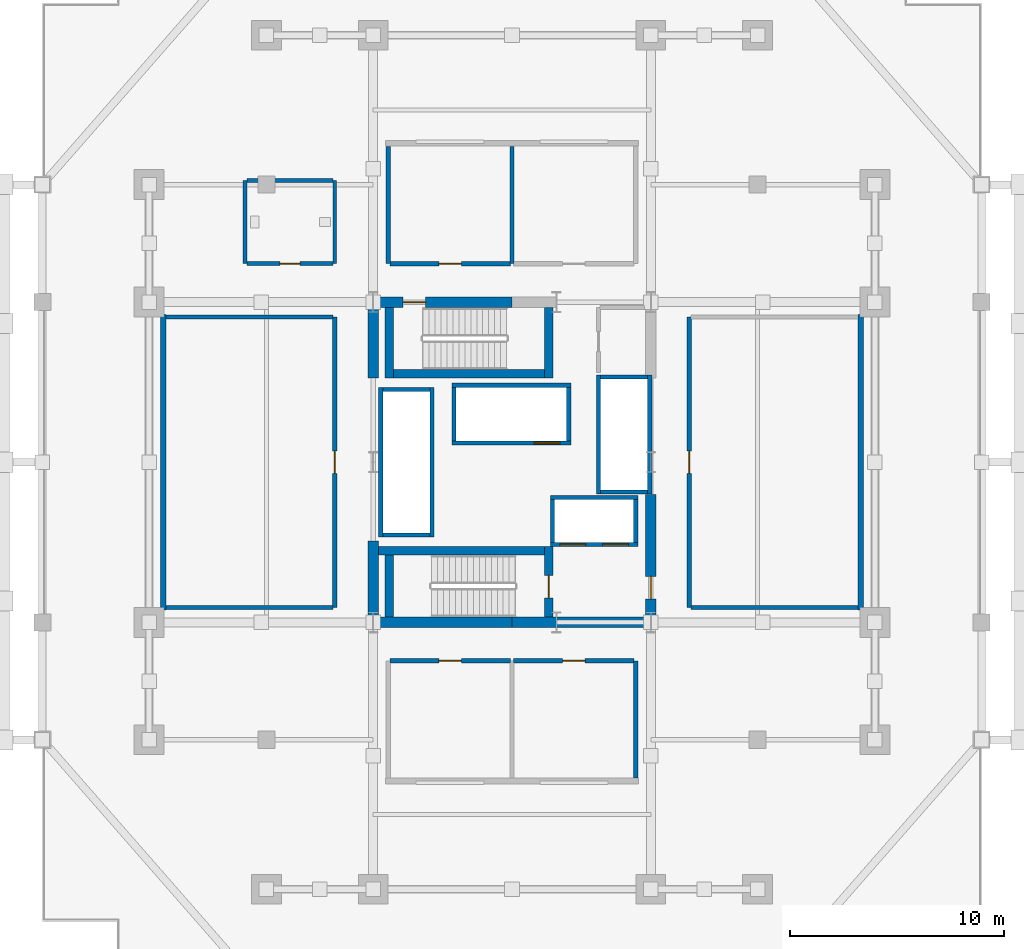
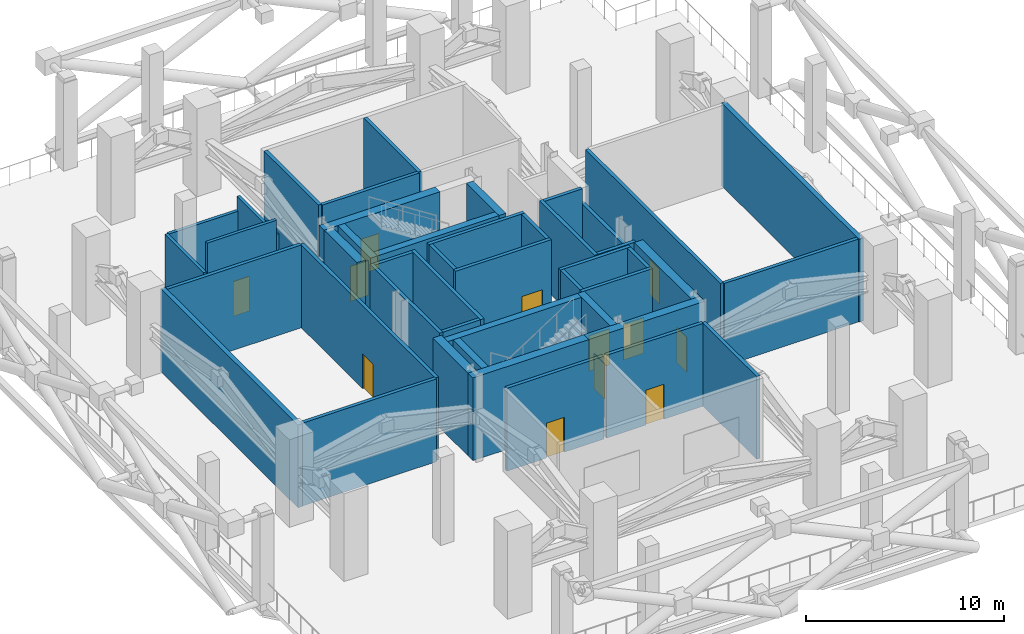
# One storey, part 4 of 9: 45 walls, 12 doors, 12 openings.
"""IFC4 building model written with IfcOpenShell, lengths in metres."""

from ifc_helpers import new_model, si_unit, direction, frame, frame_2d, origin, place, context, subcontext, project, spatial, rectangle, extrude, material, layer, layer_set, type_object, element, fill, save


model = new_model("IFC4")

# Units and contexts
model_context = context("Model", 3, precision=1e-05, world=origin(), true_north=direction((0.0, 1.0)))
body_context = subcontext(model_context, "Body", "Model", "MODEL_VIEW")
ifc_project = project(units=[si_unit("LENGTHUNIT", "METRE"), si_unit("AREAUNIT", "SQUARE_METRE"), si_unit("VOLUMEUNIT", "CUBIC_METRE"), si_unit("PLANEANGLEUNIT", "RADIAN"), si_unit("MASSUNIT", "GRAM", prefix="KILO")], contexts=[model_context])

# Site, building, storey
site_placement = place(None, origin())
site = spatial("IfcSite", under=ifc_project, at=site_placement, CompositionType="ELEMENT")
building_placement = place(site_placement, origin())
building = spatial("IfcBuilding", under=site, at=building_placement, Name="Barlavira Tower and Art Museum", CompositionType="ELEMENT")
storey_placement = place(building_placement, frame((0.0, 0.0, 93.60009765625)))
storey = spatial("IfcBuildingStorey", under=building, at=storey_placement, Name="L23", CompositionType="ELEMENT", Elevation=93.60009765625)

# Walls
ifc_material_1 = material(Name="Concrete C60", Category="concrete")
ifc_layer_1 = layer(ifc_material_1, 0.5, Name="Concrete C60")
ifc_layer_set_1 = layer_set([ifc_layer_1], Name="Concrete C60")
wall_type_1 = type_object("IfcWallType", Name="Core Structural Shear Wall 500 Concrete C60", PredefinedType="SHEAR", material=ifc_layer_set_1)
for number, where, z_axis, x_axis, name in (
    (1, (-6.75, -7.5, 0.0), (0.0, 0.0, 1.0), (1.0, 0.0, 0.0), "L23 Core Shear Wall CS-SW"),
    (2, (0.0, -7.5, 0.0), (0.0, 0.0, 1.0), (1.0, 0.0, 0.0), "L23 Core Shear Wall CS-SE"),
):
    element("IfcWall", number, at=place(storey_placement, frame(where, z_axis=z_axis, x_axis=x_axis)), inside=storey, type_object=wall_type_1, Name=name, PredefinedType="SHEAR", context=body_context, shape_type="SweptSolid", body=[
        extrude(rectangle(XDim=6.75, YDim=0.5, at=frame_2d((3.375, 0.0))), origin(), (0.0, 0.0, 1.0), 5.099853515625),
    ])

# Wall, opening, door
wall_1_placement = place(storey_placement, frame((-6.75, 7.5, 0.0), z_axis=(0.0, 0.0, 1.0), x_axis=(1.0, 0.0, 0.0)))
wall_1 = element("IfcWall", 3, at=wall_1_placement, inside=storey, type_object=wall_type_1, Name="L23 Core Shear Wall CS-NW", PredefinedType="SHEAR", context=body_context, shape_type="SweptSolid", body=[
    extrude(rectangle(XDim=6.75, YDim=0.5, at=frame_2d((3.375, 0.0))), origin(), (0.0, 0.0, 1.0), 5.099853515625),
])
opening_1_placement = place(wall_1_placement, frame((1.64990234375, 0.0, 0.0)))
opening_1 = element("IfcOpeningElement", 4, at=opening_1_placement, cuts=wall_1, Name="Opening FD-90", PredefinedType="OPENING", context=body_context, shape_type="SweptSolid", body=[
    extrude(rectangle(XDim=1.050048828125, YDim=2.14990234375, at=frame_2d((0.52490234375, 1.074951171875))), frame((0.0, 0.260009765625, 0.0), z_axis=(0.0, -1.0, 0.0), x_axis=(1.0, 0.0, 0.0)), (0.0, 0.0, 1.0), 0.52001953125),
])
ifc_material_2 = material(Name="Brushed stainless steel", Category="steel")
door_type_1 = type_object("IfcDoorType", Name="Stair and Refuge Fire Door 1050x2150 FD90S", OperationType="NOTDEFINED", PredefinedType="DOOR", material=ifc_material_2)
door_1_placement = place(opening_1_placement, origin())
door_1 = element("IfcDoor", 5, at=door_1_placement, inside=storey, type_object=door_type_1, Name="L23 Stair ST-T2 Fire Door", OperationType="SINGLE_SWING_LEFT", OverallHeight=2.14990234375, OverallWidth=1.050048828125, PredefinedType="DOOR", context=body_context, shape_type="SweptSolid", body=[
    extrude(rectangle(XDim=1.050048828125, YDim=2.14990234375, at=frame_2d((0.52490234375, 1.074951171875))), frame((0.0, 0.02490234375, 0.0), z_axis=(0.0, -1.0, 0.0), x_axis=(1.0, 0.0, 0.0)), (0.0, 0.0, 1.0), 0.050048828125),
])
fill(opening_1, door_1)

# Walls
wall_2_placement = place(storey_placement, frame((-6.5, -7.25, 0.0), z_axis=(0.0, 0.0, 1.0), x_axis=(0.0, 1.0, 0.0)))
element("IfcWall", 6, at=wall_2_placement, inside=storey, type_object=wall_type_1, Name="L23 Core Shear Wall CS-W1", PredefinedType="SHEAR", context=body_context, shape_type="SweptSolid", body=[
    extrude(rectangle(XDim=3.550048828125, YDim=0.5, at=frame_2d((1.77490234375, 0.0))), origin(), (0.0, 0.0, 1.0), 5.099853515625),
])
wall_3_placement = place(storey_placement, frame((-6.5, 3.949951171875, 0.0), z_axis=(0.0, 0.0, 1.0), x_axis=(0.0, 1.0, 0.0)))
element("IfcWall", 7, at=wall_3_placement, inside=storey, type_object=wall_type_1, Name="L23 Core Shear Wall CS-W2", PredefinedType="SHEAR", context=body_context, shape_type="SweptSolid", body=[
    extrude(rectangle(XDim=3.300048828125, YDim=0.5, at=frame_2d((1.64990234375, 0.0))), origin(), (0.0, 0.0, 1.0), 5.099853515625),
])

# Wall, opening, door
wall_4_placement = place(storey_placement, frame((6.5, -7.25, 0.0), z_axis=(0.0, 0.0, 1.0), x_axis=(0.0, 1.0, 0.0)))
wall_4 = element("IfcWall", 8, at=wall_4_placement, inside=storey, type_object=wall_type_1, Name="L23 Core Shear Wall CS-E1", PredefinedType="SHEAR", context=body_context, shape_type="SweptSolid", body=[
    extrude(rectangle(XDim=5.75, YDim=0.5, at=frame_2d((2.875, 0.0))), origin(), (0.0, 0.0, 1.0), 5.099853515625),
])
opening_2_placement = place(wall_4_placement, frame((0.85009765625, 0.0, 0.0)))
opening_2 = element("IfcOpeningElement", 9, at=opening_2_placement, cuts=wall_4, Name="Opening FD-90", PredefinedType="OPENING", context=body_context, shape_type="SweptSolid", body=[
    extrude(rectangle(XDim=1.050048828125, YDim=2.14990234375, at=frame_2d((0.52490234375, 1.074951171875))), frame((0.0, 0.260009765625, 0.0), z_axis=(0.0, -1.0, 0.0), x_axis=(1.0, 0.0, 0.0)), (0.0, 0.0, 1.0), 0.52001953125),
])
door_2_placement = place(opening_2_placement, origin())
door_2 = element("IfcDoor", 10, at=door_2_placement, inside=storey, type_object=door_type_1, Name="L23 Firefighting Lobby Entry Fire Door", OperationType="SINGLE_SWING_LEFT", OverallHeight=2.14990234375, OverallWidth=1.050048828125, PredefinedType="DOOR", context=body_context, shape_type="SweptSolid", body=[
    extrude(rectangle(XDim=1.050048828125, YDim=2.14990234375, at=frame_2d((0.52490234375, 1.074951171875))), frame((0.0, 0.02490234375, 0.0), z_axis=(0.0, -1.0, 0.0), x_axis=(1.0, 0.0, 0.0)), (0.0, 0.0, 1.0), 0.050048828125),
])
fill(opening_2, door_2)

# Walls
ifc_material_3 = material(Name="Precast concrete C40", Category="concrete")
ifc_layer_2 = layer(ifc_material_3, 0.260009765625, Name="Precast concrete C40")
ifc_layer_set_2 = layer_set([ifc_layer_2], Name="Precast concrete C40")
wall_type_2 = type_object("IfcWallType", Name="Crown Acoustic Plant Enclosure Wall 260 Precast Concrete C40", PredefinedType="SOLIDWALL", material=ifc_layer_set_2)
for number, where, z_axis, x_axis, name in (
    (11, (-16.330078125, -6.929931640625, 0.0), (0.0, 0.0, 1.0), (0.0, 1.0, 0.0), "L23 Wind-Floor Plant/Refuge Wall W"),
    (12, (16.330078125, -6.929931640625, 0.0), (0.0, 0.0, 1.0), (0.0, 1.0, 0.0), "L23 Wind-Floor Plant/Refuge Wall E"),
):
    element("IfcWall", number, at=place(storey_placement, frame(where, z_axis=z_axis, x_axis=x_axis)), inside=storey, type_object=wall_type_2, Name=name, PredefinedType="SOLIDWALL", context=body_context, shape_type="SweptSolid", body=[
        extrude(rectangle(XDim=13.85986328125, YDim=0.260009765625, at=frame_2d((6.929931640625, 0.0))), origin(), (0.0, 0.0, 1.0), 5.099853515625),
    ])
ifc_material_4 = material(Name="Autoclaved aerated concrete masonry", Category="masonry")
ifc_layer_3 = layer(ifc_material_4, 0.199951171875, Name="Autoclaved aerated concrete masonry")
ifc_layer_set_3 = layer_set([ifc_layer_3], Name="Autoclaved aerated concrete masonry")
wall_type_3 = type_object("IfcWallType", Name="Fire Compartment and Shaft Wall 200", PredefinedType="SOLIDWALL", material=ifc_layer_set_3)
for number, where, z_axis, x_axis, name in (
    (13, (-3.75, -3.510009765625, 0.0), (0.0, 0.0, 1.0), (0.0, 1.0, 0.0), "L23 Low-Rise Lift Front Shaft Wall"),
    (14, (-6.14990234375, -3.510009765625, 0.0), (0.0, 0.0, 1.0), (0.0, 1.0, 0.0), "L23 Low-Rise Lift Back Shaft Wall"),
):
    element("IfcWall", number, at=place(storey_placement, frame(where, z_axis=z_axis, x_axis=x_axis)), inside=storey, type_object=wall_type_3, Name=name, PredefinedType="SOLIDWALL", context=body_context, shape_type="SweptSolid", body=[
        extrude(rectangle(XDim=7.02001953125, YDim=0.199951171875, at=frame_2d((3.510009765625, 0.0))), origin(), (0.0, 0.0, 1.0), 5.099853515625),
    ])
for number, where, z_axis, x_axis, name in (
    (15, (-6.050048828125, -3.409912109375, 0.0), (0.0, 0.0, 1.0), (1.0, 0.0, 0.0), "L23 Low-Rise Lift South Shaft Wall"),
    (16, (-6.050048828125, 3.409912109375, 0.0), (0.0, 0.0, 1.0), (1.0, 0.0, 0.0), "L23 Low-Rise Lift North Shaft Wall"),
):
    element("IfcWall", number, at=place(storey_placement, frame(where, z_axis=z_axis, x_axis=x_axis)), inside=storey, type_object=wall_type_3, Name=name, PredefinedType="SOLIDWALL", context=body_context, shape_type="SweptSolid", body=[
        extrude(rectangle(XDim=2.199951171875, YDim=0.199951171875, at=frame_2d((1.10009765625, 0.0))), origin(), (0.0, 0.0, 1.0), 5.099853515625),
    ])
wall_5_placement = place(storey_placement, frame((4.050048828125, -1.489990234375, 0.0), z_axis=(0.0, 0.0, 1.0), x_axis=(0.0, 1.0, 0.0)))
element("IfcWall", 17, at=wall_5_placement, inside=storey, type_object=wall_type_3, Name="L23 Mid-Rise Lift Front Shaft Wall", PredefinedType="SOLIDWALL", context=body_context, shape_type="SweptSolid", body=[
    extrude(rectangle(XDim=5.580078125, YDim=0.199951171875, at=frame_2d((2.7900390625, 0.0))), origin(), (0.0, 0.0, 1.0), 5.099853515625),
])
wall_6_placement = place(storey_placement, frame((6.449951171875, -1.489990234375, 0.0), z_axis=(0.0, 0.0, 1.0), x_axis=(0.0, 1.0, 0.0)))
element("IfcWall", 18, at=wall_6_placement, inside=storey, type_object=wall_type_3, Name="L23 Mid-Rise Lift Back Shaft Wall", PredefinedType="SOLIDWALL", context=body_context, shape_type="SweptSolid", body=[
    extrude(rectangle(XDim=5.580078125, YDim=0.199951171875, at=frame_2d((2.7900390625, 0.0))), origin(), (0.0, 0.0, 1.0), 4.15283203125),
])
for number, where, z_axis, x_axis, name in (
    (19, (4.14990234375, -1.389892578125, 0.0), (0.0, 0.0, 1.0), (1.0, 0.0, 0.0), "L23 Mid-Rise Lift South Shaft Wall"),
    (20, (4.14990234375, 3.989990234375, 0.0), (0.0, 0.0, 1.0), (1.0, 0.0, 0.0), "L23 Mid-Rise Lift North Shaft Wall"),
):
    element("IfcWall", number, at=place(storey_placement, frame(where, z_axis=z_axis, x_axis=x_axis)), inside=storey, type_object=wall_type_3, Name=name, PredefinedType="SOLIDWALL", context=body_context, shape_type="SweptSolid", body=[
        extrude(rectangle(XDim=2.2001953125, YDim=0.199951171875, at=frame_2d((1.10009765625, 0.0))), origin(), (0.0, 0.0, 1.0), 5.099853515625),
    ])

# Wall, opening, door
wall_7_placement = place(storey_placement, frame((-2.820068359375, 0.89990234375, 0.0), z_axis=(0.0, 0.0, 1.0), x_axis=(1.0, 0.0, 0.0)))
wall_7 = element("IfcWall", 21, at=wall_7_placement, inside=storey, type_object=wall_type_3, Name="L23 High-Rise & Service Lift Front Wall", PredefinedType="SOLIDWALL", context=body_context, shape_type="SweptSolid", body=[
    extrude(rectangle(XDim=5.580078125, YDim=0.199951171875, at=frame_2d((2.7900390625, 0.0))), origin(), (0.0, 0.0, 1.0), 5.099853515625),
])
opening_3_placement = place(wall_7_placement, frame((3.860107421875, 0.0, 0.0)))
opening_3 = element("IfcOpeningElement", 22, at=opening_3_placement, cuts=wall_7, Name="Opening LD-F", PredefinedType="OPENING", context=body_context, shape_type="SweptSolid", body=[
    extrude(rectangle(XDim=1.199951171875, YDim=2.199951171875, at=frame_2d((0.60009765625, 1.10009765625))), frame((0.0, 0.10986328125, 0.0), z_axis=(0.0, -1.0, 0.0), x_axis=(1.0, 0.0, 0.0)), (0.0, 0.0, 1.0), 0.219970703125),
])
door_type_2 = type_object("IfcDoorType", Name="Firefighting and Service Lift Sliding Door 1200x2200 FD120", OperationType="NOTDEFINED", PredefinedType="DOOR", material=ifc_material_2)
door_3_placement = place(opening_3_placement, origin())
door_3 = element("IfcDoor", 23, at=door_3_placement, inside=storey, type_object=door_type_2, Name="L23 Stretcher Service Lift SL1 Sliding Door", OperationType="DOUBLE_DOOR_SLIDING", OverallHeight=2.199951171875, OverallWidth=1.199951171875, PredefinedType="DOOR", context=body_context, shape_type="SweptSolid", body=[
    extrude(rectangle(XDim=1.199951171875, YDim=2.199951171875, at=frame_2d((0.60009765625, 1.10009765625))), frame((0.0, 0.02490234375, 0.0), z_axis=(0.0, -1.0, 0.0), x_axis=(1.0, 0.0, 0.0)), (0.0, 0.0, 1.0), 0.050048828125),
])
fill(opening_3, door_3)

# Walls
wall_8_placement = place(storey_placement, frame((-2.820068359375, 3.60009765625, 0.0), z_axis=(0.0, 0.0, 1.0), x_axis=(1.0, 0.0, 0.0)))
element("IfcWall", 24, at=wall_8_placement, inside=storey, type_object=wall_type_3, Name="L23 High-Rise & Service Lift Back Wall", PredefinedType="SOLIDWALL", context=body_context, shape_type="SweptSolid", body=[
    extrude(rectangle(XDim=5.580078125, YDim=0.199951171875, at=frame_2d((2.7900390625, 0.0))), origin(), (0.0, 0.0, 1.0), 5.099853515625),
])
for number, where, z_axis, x_axis, name in (
    (25, (-2.719970703125, 1.0, 0.0), (0.0, 0.0, 1.0), (0.0, 1.0, 0.0), "L23 High-Rise & Service Lift West Wall"),
    (26, (2.659912109375, 1.0, 0.0), (0.0, 0.0, 1.0), (0.0, 1.0, 0.0), "L23 High-Rise & Service Lift East Wall"),
):
    element("IfcWall", number, at=place(storey_placement, frame(where, z_axis=z_axis, x_axis=x_axis)), inside=storey, type_object=wall_type_3, Name=name, PredefinedType="SOLIDWALL", context=body_context, shape_type="SweptSolid", body=[
        extrude(rectangle(XDim=2.5, YDim=0.199951171875, at=frame_2d((1.25, 0.0))), origin(), (0.0, 0.0, 1.0), 5.099853515625),
    ])

# Wall, openings, doors
wall_9_placement = place(storey_placement, frame((1.800048828125, -3.85009765625, 0.0), z_axis=(0.0, 0.0, 1.0), x_axis=(1.0, 0.0, 0.0)))
wall_9 = element("IfcWall", 27, at=wall_9_placement, inside=storey, type_object=wall_type_3, Name="L23 Firefighting Lift Front Shaft Wall", PredefinedType="SOLIDWALL", context=body_context, shape_type="SweptSolid", body=[
    extrude(rectangle(XDim=4.099853515625, YDim=0.199951171875, at=frame_2d((2.0498046875, 0.0))), origin(), (0.0, 0.0, 1.0), 5.099853515625),
])
opening_4_placement = place(wall_9_placement, frame((0.449951171875, 0.0, 0.0)))
opening_4 = element("IfcOpeningElement", 28, at=opening_4_placement, cuts=wall_9, Name="Opening LD-F", PredefinedType="OPENING", context=body_context, shape_type="SweptSolid", body=[
    extrude(rectangle(XDim=1.199951171875, YDim=2.199951171875, at=frame_2d((0.60009765625, 1.10009765625))), frame((0.0, 0.10986328125, 0.0), z_axis=(0.0, -1.0, 0.0), x_axis=(1.0, 0.0, 0.0)), (0.0, 0.0, 1.0), 0.219970703125),
])
opening_5_placement = place(wall_9_placement, frame((2.449951171875, 0.0, 0.0)))
opening_5 = element("IfcOpeningElement", 29, at=opening_5_placement, cuts=wall_9, Name="Opening LD-F", PredefinedType="OPENING", context=body_context, shape_type="SweptSolid", body=[
    extrude(rectangle(XDim=1.199951171875, YDim=2.199951171875, at=frame_2d((0.60009765625, 1.10009765625))), frame((0.0, 0.10986328125, 0.0), z_axis=(0.0, -1.0, 0.0), x_axis=(1.0, 0.0, 0.0)), (0.0, 0.0, 1.0), 0.219970703125),
])
door_4_placement = place(opening_4_placement, origin())
door_4 = element("IfcDoor", 30, at=door_4_placement, inside=storey, type_object=door_type_2, Name="L23 Firefighting Lift FF1 Sliding Door", OperationType="DOUBLE_DOOR_SLIDING", OverallHeight=2.199951171875, OverallWidth=1.199951171875, PredefinedType="DOOR", context=body_context, shape_type="SweptSolid", body=[
    extrude(rectangle(XDim=1.199951171875, YDim=2.199951171875, at=frame_2d((0.60009765625, 1.10009765625))), frame((0.0, 0.02490234375, 0.0), z_axis=(0.0, -1.0, 0.0), x_axis=(1.0, 0.0, 0.0)), (0.0, 0.0, 1.0), 0.050048828125),
])
fill(opening_4, door_4)
door_5_placement = place(opening_5_placement, origin())
door_5 = element("IfcDoor", 31, at=door_5_placement, inside=storey, type_object=door_type_2, Name="L23 Firefighting Lift FF2 Sliding Door", OperationType="DOUBLE_DOOR_SLIDING", OverallHeight=2.199951171875, OverallWidth=1.199951171875, PredefinedType="DOOR", context=body_context, shape_type="SweptSolid", body=[
    extrude(rectangle(XDim=1.199951171875, YDim=2.199951171875, at=frame_2d((0.60009765625, 1.10009765625))), frame((0.0, 0.02490234375, 0.0), z_axis=(0.0, -1.0, 0.0), x_axis=(1.0, 0.0, 0.0)), (0.0, 0.0, 1.0), 0.050048828125),
])
fill(opening_5, door_5)

# Walls
wall_10_placement = place(storey_placement, frame((1.800048828125, -1.64990234375, 0.0), z_axis=(0.0, 0.0, 1.0), x_axis=(1.0, 0.0, 0.0)))
element("IfcWall", 32, at=wall_10_placement, inside=storey, type_object=wall_type_3, Name="L23 Firefighting Lift Back Shaft Wall", PredefinedType="SOLIDWALL", context=body_context, shape_type="SweptSolid", body=[
    extrude(rectangle(XDim=4.099853515625, YDim=0.199951171875, at=frame_2d((2.0498046875, 0.0))), origin(), (0.0, 0.0, 1.0), 5.099853515625),
])
for number, where, z_axis, x_axis, name in (
    (33, (1.89990234375, -3.75, 0.0), (0.0, 0.0, 1.0), (0.0, 1.0, 0.0), "L23 Firefighting Lift West Shaft Wall"),
    (34, (5.800048828125, -3.75, 0.0), (0.0, 0.0, 1.0), (0.0, 1.0, 0.0), "L23 Firefighting Lift East Shaft Wall"),
):
    element("IfcWall", number, at=place(storey_placement, frame(where, z_axis=z_axis, x_axis=x_axis)), inside=storey, type_object=wall_type_3, Name=name, PredefinedType="SOLIDWALL", context=body_context, shape_type="SweptSolid", body=[
        extrude(rectangle(XDim=2.0, YDim=0.199951171875, at=frame_2d((1.0, 0.0))), origin(), (0.0, 0.0, 1.0), 5.099853515625),
    ])

# Wall, opening, door
wall_11_placement = place(storey_placement, frame((-8.300048828125, -6.800048828125, 0.0), z_axis=(0.0, 0.0, 1.0), x_axis=(0.0, 1.0, 0.0)))
wall_11 = element("IfcWall", 35, at=wall_11_placement, inside=storey, type_object=wall_type_3, Name="L23 Partition Wall 2", PredefinedType="SOLIDWALL", context=body_context, shape_type="SweptSolid", body=[
    extrude(rectangle(XDim=13.60009765625, YDim=0.199951171875, at=frame_2d((6.800048828125, 0.0))), origin(), (0.0, 0.0, 1.0), 5.099853515625),
])
opening_6_placement = place(wall_11_placement, frame((6.27490234375, 0.0, 0.0)))
opening_6 = element("IfcOpeningElement", 36, at=opening_6_placement, cuts=wall_11, Name="Opening FD-90", PredefinedType="OPENING", context=body_context, shape_type="SweptSolid", body=[
    extrude(rectangle(XDim=1.050048828125, YDim=2.14990234375, at=frame_2d((0.52490234375, 1.074951171875))), frame((0.0, 0.10986328125, 0.0), z_axis=(0.0, -1.0, 0.0), x_axis=(1.0, 0.0, 0.0)), (0.0, 0.0, 1.0), 0.219970703125),
])
door_6_placement = place(opening_6_placement, origin())
door_6 = element("IfcDoor", 37, at=door_6_placement, inside=storey, type_object=door_type_1, Name="L23 West Pressurised Sky Refuge Area Door", OperationType="SINGLE_SWING_LEFT", OverallHeight=2.14990234375, OverallWidth=1.050048828125, PredefinedType="DOOR", context=body_context, shape_type="SweptSolid", body=[
    extrude(rectangle(XDim=1.050048828125, YDim=2.14990234375, at=frame_2d((0.52490234375, 1.074951171875))), frame((0.0, 0.02490234375, 0.0), z_axis=(0.0, -1.0, 0.0), x_axis=(1.0, 0.0, 0.0)), (0.0, 0.0, 1.0), 0.050048828125),
])
fill(opening_6, door_6)

# Walls
for number, where, z_axis, x_axis, name in (
    (38, (-5.800048828125, 9.300048828125, 0.0), (0.0, 0.0, 1.0), (0.0, 1.0, 0.0), "L23 Partition Wall 5"),
    (39, (0.0, 9.300048828125, 0.0), (0.0, 0.0, 1.0), (0.0, 1.0, 0.0), "L23 Partition Wall 7"),
    (40, (5.800048828125, -14.794921875, 0.0), (0.0, 0.0, 1.0), (0.0, 1.0, 0.0), "L23 Partition Wall 9"),
):
    element("IfcWall", number, at=place(storey_placement, frame(where, z_axis=z_axis, x_axis=x_axis)), inside=storey, type_object=wall_type_3, Name=name, PredefinedType="SOLIDWALL", context=body_context, shape_type="SweptSolid", body=[
        extrude(rectangle(XDim=5.494873046875, YDim=0.199951171875, at=frame_2d((2.74755859375, 0.0))), origin(), (0.0, 0.0, 1.0), 5.099853515625),
    ])

# Wall, opening, door
wall_12_placement = place(storey_placement, frame((8.300048828125, -6.800048828125, 0.0), z_axis=(0.0, 0.0, 1.0), x_axis=(0.0, 1.0, 0.0)))
wall_12 = element("IfcWall", 41, at=wall_12_placement, inside=storey, type_object=wall_type_3, Name="L23 Partition Wall 11", PredefinedType="SOLIDWALL", context=body_context, shape_type="SweptSolid", body=[
    extrude(rectangle(XDim=13.60009765625, YDim=0.199951171875, at=frame_2d((6.800048828125, 0.0))), origin(), (0.0, 0.0, 1.0), 5.099853515625),
])
opening_7_placement = place(wall_12_placement, frame((6.27490234375, 0.0, 0.0)))
opening_7 = element("IfcOpeningElement", 42, at=opening_7_placement, cuts=wall_12, Name="Opening FD-90", PredefinedType="OPENING", context=body_context, shape_type="SweptSolid", body=[
    extrude(rectangle(XDim=1.050048828125, YDim=2.14990234375, at=frame_2d((0.52490234375, 1.074951171875))), frame((0.0, 0.10986328125, 0.0), z_axis=(0.0, -1.0, 0.0), x_axis=(1.0, 0.0, 0.0)), (0.0, 0.0, 1.0), 0.219970703125),
])
door_7_placement = place(opening_7_placement, origin())
door_7 = element("IfcDoor", 43, at=door_7_placement, inside=storey, type_object=door_type_1, Name="L23 East Pressurised Sky Refuge Area Door", OperationType="SINGLE_SWING_RIGHT", OverallHeight=2.14990234375, OverallWidth=1.050048828125, PredefinedType="DOOR", context=body_context, shape_type="SweptSolid", body=[
    extrude(rectangle(XDim=1.050048828125, YDim=2.14990234375, at=frame_2d((0.52490234375, 1.074951171875))), frame((0.0, 0.02490234375, 0.0), z_axis=(0.0, -1.0, 0.0), x_axis=(1.0, 0.0, 0.0)), (0.0, 0.0, 1.0), 0.050048828125),
])
fill(opening_7, door_7)

wall_13_placement = place(storey_placement, frame((-5.719970703125, -9.300048828125, 0.0), z_axis=(0.0, 0.0, 1.0), x_axis=(1.0, 0.0, 0.0)))
wall_13 = element("IfcWall", 44, at=wall_13_placement, inside=storey, type_object=wall_type_3, Name="L23 Partition Wall 12", PredefinedType="SOLIDWALL", context=body_context, shape_type="SweptSolid", body=[
    extrude(rectangle(XDim=5.639892578125, YDim=0.199951171875, at=frame_2d((2.81982421875, 0.0))), origin(), (0.0, 0.0, 1.0), 5.099853515625),
])
opening_8_placement = place(wall_13_placement, frame((2.294921875, 0.0, 0.0)))
opening_8 = element("IfcOpeningElement", 45, at=opening_8_placement, cuts=wall_13, Name="Opening FD-90", PredefinedType="OPENING", context=body_context, shape_type="SweptSolid", body=[
    extrude(rectangle(XDim=1.050048828125, YDim=2.14990234375, at=frame_2d((0.52490234375, 1.074951171875))), frame((0.0, 0.10986328125, 0.0), z_axis=(0.0, -1.0, 0.0), x_axis=(1.0, 0.0, 0.0)), (0.0, 0.0, 1.0), 0.219970703125),
])
door_8_placement = place(opening_8_placement, origin())
door_8 = element("IfcDoor", 46, at=door_8_placement, inside=storey, type_object=door_type_1, Name="L23 Chiller and Heat-Rejection Plant Room Door", OperationType="SINGLE_SWING_LEFT", OverallHeight=2.14990234375, OverallWidth=1.050048828125, PredefinedType="DOOR", context=body_context, shape_type="SweptSolid", body=[
    extrude(rectangle(XDim=1.050048828125, YDim=2.14990234375, at=frame_2d((0.52490234375, 1.074951171875))), frame((0.0, 0.02490234375, 0.0), z_axis=(0.0, -1.0, 0.0), x_axis=(1.0, 0.0, 0.0)), (0.0, 0.0, 1.0), 0.050048828125),
])
fill(opening_8, door_8)

wall_14_placement = place(storey_placement, frame((0.080078125, -9.300048828125, 0.0), z_axis=(0.0, 0.0, 1.0), x_axis=(1.0, 0.0, 0.0)))
wall_14 = element("IfcWall", 47, at=wall_14_placement, inside=storey, type_object=wall_type_3, Name="L23 Partition Wall 13", PredefinedType="SOLIDWALL", context=body_context, shape_type="SweptSolid", body=[
    extrude(rectangle(XDim=5.639892578125, YDim=0.199951171875, at=frame_2d((2.81982421875, 0.0))), origin(), (0.0, 0.0, 1.0), 5.099853515625),
])
opening_9_placement = place(wall_14_placement, frame((2.294921875, 0.0, 0.0)))
opening_9 = element("IfcOpeningElement", 48, at=opening_9_placement, cuts=wall_14, Name="Opening FD-90", PredefinedType="OPENING", context=body_context, shape_type="SweptSolid", body=[
    extrude(rectangle(XDim=1.050048828125, YDim=2.14990234375, at=frame_2d((0.52490234375, 1.074951171875))), frame((0.0, 0.10986328125, 0.0), z_axis=(0.0, -1.0, 0.0), x_axis=(1.0, 0.0, 0.0)), (0.0, 0.0, 1.0), 0.219970703125),
])
door_9_placement = place(opening_9_placement, origin())
door_9 = element("IfcDoor", 49, at=door_9_placement, inside=storey, type_object=door_type_1, Name="L23 Air Handling and Smoke Ventilation Plant Room Door", OperationType="SINGLE_SWING_RIGHT", OverallHeight=2.14990234375, OverallWidth=1.050048828125, PredefinedType="DOOR", context=body_context, shape_type="SweptSolid", body=[
    extrude(rectangle(XDim=1.050048828125, YDim=2.14990234375, at=frame_2d((0.52490234375, 1.074951171875))), frame((0.0, 0.02490234375, 0.0), z_axis=(0.0, -1.0, 0.0), x_axis=(1.0, 0.0, 0.0)), (0.0, 0.0, 1.0), 0.050048828125),
])
fill(opening_9, door_9)

# Walls
for number, where, z_axis, x_axis, name in (
    (50, (-16.195068359375, -6.800048828125, 0.0), (0.0, 0.0, 1.0), (1.0, 0.0, 0.0), "L23 Partition Wall 14"),
    (51, (8.3798828125, -6.800048828125, 0.0), (0.0, 0.0, 1.0), (1.0, 0.0, 0.0), "L23 Partition Wall 15"),
    (52, (-16.195068359375, 6.800048828125, 0.0), (0.0, 0.0, 1.0), (1.0, 0.0, 0.0), "L23 Partition Wall 16"),
):
    element("IfcWall", number, at=place(storey_placement, frame(where, z_axis=z_axis, x_axis=x_axis)), inside=storey, type_object=wall_type_3, Name=name, PredefinedType="SOLIDWALL", context=body_context, shape_type="SweptSolid", body=[
        extrude(rectangle(XDim=7.815185546875, YDim=0.199951171875, at=frame_2d((3.90771484375, 0.0))), origin(), (0.0, 0.0, 1.0), 5.099853515625),
    ])

# Wall, opening, door
wall_15_placement = place(storey_placement, frame((-5.719970703125, 9.300048828125, 0.0), z_axis=(0.0, 0.0, 1.0), x_axis=(1.0, 0.0, 0.0)))
wall_15 = element("IfcWall", 53, at=wall_15_placement, inside=storey, type_object=wall_type_3, Name="L23 Partition Wall 20", PredefinedType="SOLIDWALL", context=body_context, shape_type="SweptSolid", body=[
    extrude(rectangle(XDim=5.639892578125, YDim=0.199951171875, at=frame_2d((2.81982421875, 0.0))), origin(), (0.0, 0.0, 1.0), 5.099853515625),
])
opening_10_placement = place(wall_15_placement, frame((2.294921875, 0.0, 0.0)))
opening_10 = element("IfcOpeningElement", 54, at=opening_10_placement, cuts=wall_15, Name="Opening FD-90", PredefinedType="OPENING", context=body_context, shape_type="SweptSolid", body=[
    extrude(rectangle(XDim=1.050048828125, YDim=2.14990234375, at=frame_2d((0.52490234375, 1.074951171875))), frame((0.0, 0.10986328125, 0.0), z_axis=(0.0, -1.0, 0.0), x_axis=(1.0, 0.0, 0.0)), (0.0, 0.0, 1.0), 0.219970703125),
])
door_10_placement = place(opening_10_placement, origin())
door_10 = element("IfcDoor", 55, at=door_10_placement, inside=storey, type_object=door_type_1, Name="L23 Domestic Water Tank and Transfer Pump Room Door", OperationType="SINGLE_SWING_LEFT", OverallHeight=2.14990234375, OverallWidth=1.050048828125, PredefinedType="DOOR", context=body_context, shape_type="SweptSolid", body=[
    extrude(rectangle(XDim=1.050048828125, YDim=2.14990234375, at=frame_2d((0.52490234375, 1.074951171875))), frame((0.0, 0.02490234375, 0.0), z_axis=(0.0, -1.0, 0.0), x_axis=(1.0, 0.0, 0.0)), (0.0, 0.0, 1.0), 0.050048828125),
])
fill(opening_10, door_10)

# Walls
ifc_material_5 = material(Name="Gypsum acoustic stud partition", Category="gypsum")
ifc_layer_4 = layer(ifc_material_5, 0.179931640625, Name="Gypsum acoustic stud partition")
ifc_layer_set_4 = layer_set([ifc_layer_4], Name="Gypsum acoustic stud partition")
wall_type_4 = type_object("IfcWallType", Name="Inter-Tenancy Party Partition Wall 180", PredefinedType="PARTITIONING", material=ifc_layer_set_4)
wall_16_placement = place(storey_placement, frame((-12.5, 9.300048828125, 0.0), z_axis=(0.0, 0.0, 1.0), x_axis=(0.0, 1.0, 0.0)))
element("IfcWall", 56, at=wall_16_placement, inside=storey, type_object=wall_type_4, Name="L23 Partition Wall 1", PredefinedType="PARTITIONING", context=body_context, shape_type="SweptSolid", body=[
    extrude(rectangle(XDim=3.89990234375, YDim=0.179931640625, at=frame_2d((1.949951171875, 0.0))), origin(), (0.0, 0.0, 1.0), 3.284912109375),
])
wall_17_placement = place(storey_placement, frame((-8.300048828125, 9.300048828125, 0.0), z_axis=(0.0, 0.0, 1.0), x_axis=(0.0, 1.0, 0.0)))
element("IfcWall", 57, at=wall_17_placement, inside=storey, type_object=wall_type_4, Name="L23 Partition Wall 3", PredefinedType="PARTITIONING", context=body_context, shape_type="SweptSolid", body=[
    extrude(rectangle(XDim=3.89990234375, YDim=0.179931640625, at=frame_2d((1.949951171875, 0.0))), origin(), (0.0, 0.0, 1.0), 4.15283203125),
])

# Wall, opening, door
wall_18_placement = place(storey_placement, frame((-12.419921875, 9.300048828125, 0.0), z_axis=(0.0, 0.0, 1.0), x_axis=(1.0, 0.0, 0.0)))
wall_18 = element("IfcWall", 58, at=wall_18_placement, inside=storey, type_object=wall_type_4, Name="L23 Partition Wall 19", PredefinedType="PARTITIONING", context=body_context, shape_type="SweptSolid", body=[
    extrude(rectangle(XDim=4.0400390625, YDim=0.179931640625, at=frame_2d((2.02001953125, 0.0))), origin(), (0.0, 0.0, 1.0), 5.099853515625),
])
opening_11_placement = place(wall_18_placement, frame((1.544921875, 0.0, 0.0)))
opening_11 = element("IfcOpeningElement", 59, at=opening_11_placement, cuts=wall_18, Name="Opening FD-60", PredefinedType="OPENING", context=body_context, shape_type="SweptSolid", body=[
    extrude(rectangle(XDim=0.949951171875, YDim=2.14990234375, at=frame_2d((0.47509765625, 1.074951171875))), frame((0.0, 0.10009765625, 0.0), z_axis=(0.0, -1.0, 0.0), x_axis=(1.0, 0.0, 0.0)), (0.0, 0.0, 1.0), 0.199951171875),
])
door_type_3 = type_object("IfcDoorType", Name="Apartment Entrance and Riser Fire Door 950x2150 FD60S", OperationType="NOTDEFINED", PredefinedType="DOOR", material=ifc_material_2)
door_11_placement = place(opening_11_placement, origin())
door_11 = element("IfcDoor", 60, at=door_11_placement, inside=storey, type_object=door_type_3, Name="L23 Maintenance Staff Accessible WC Door", OperationType="SINGLE_SWING_LEFT", OverallHeight=2.14990234375, OverallWidth=0.949951171875, PredefinedType="DOOR", context=body_context, shape_type="SweptSolid", body=[
    extrude(rectangle(XDim=0.949951171875, YDim=2.14990234375, at=frame_2d((0.47509765625, 1.074951171875))), frame((0.0, 0.02490234375, 0.0), z_axis=(0.0, -1.0, 0.0), x_axis=(1.0, 0.0, 0.0)), (0.0, 0.0, 1.0), 0.050048828125),
])
fill(opening_11, door_11)

# Walls
wall_19_placement = place(storey_placement, frame((-12.419921875, 13.199951171875, 0.0), z_axis=(0.0, 0.0, 1.0), x_axis=(1.0, 0.0, 0.0)))
element("IfcWall", 61, at=wall_19_placement, inside=storey, type_object=wall_type_4, Name="L23 Partition Wall 22", PredefinedType="PARTITIONING", context=body_context, shape_type="SweptSolid", body=[
    extrude(rectangle(XDim=4.0400390625, YDim=0.179931640625, at=frame_2d((2.02001953125, 0.0))), origin(), (0.0, 0.0, 1.0), 3.284912109375),
])
ifc_material_6 = material(Name="Concrete C55", Category="concrete")
ifc_layer_5 = layer(ifc_material_6, 0.39990234375, Name="Concrete C55")
ifc_layer_set_5 = layer_set([ifc_layer_5], Name="Concrete C55")
wall_type_5 = type_object("IfcWallType", Name="Upper Core Shear Wall 400 Concrete C55", PredefinedType="SHEAR", material=ifc_layer_set_5)
wall_20_placement = place(storey_placement, frame((-5.75, -7.25, 0.0), z_axis=(0.0, 0.0, 1.0), x_axis=(0.0, 1.0, 0.0)))
element("IfcWall", 62, at=wall_20_placement, inside=storey, type_object=wall_type_5, Name="L23 ST-T1 West Half-Landing Wall", PredefinedType="SHEAR", context=body_context, shape_type="SweptSolid", body=[
    extrude(rectangle(XDim=2.89990234375, YDim=0.39990234375, at=frame_2d((1.449951171875, 0.0))), origin(), (0.0, 0.0, 1.0), 5.099853515625),
])
wall_21_placement = place(storey_placement, frame((-6.25, -4.14990234375, 0.0), z_axis=(0.0, 0.0, 1.0), x_axis=(1.0, 0.0, 0.0)))
element("IfcWall", 63, at=wall_21_placement, inside=storey, type_object=wall_type_5, Name="L23 ST-T1 North Shaft Wall", PredefinedType="SHEAR", context=body_context, shape_type="SweptSolid", body=[
    extrude(rectangle(XDim=7.780029296875, YDim=0.39990234375, at=frame_2d((3.89013671875, 0.0))), origin(), (0.0, 0.0, 1.0), 5.099853515625),
])

# Wall, opening, door
wall_22_placement = place(storey_placement, frame((1.72998046875, -7.25, 0.0), z_axis=(0.0, 0.0, 1.0), x_axis=(0.0, 1.0, 0.0)))
wall_22 = element("IfcWall", 64, at=wall_22_placement, inside=storey, type_object=wall_type_5, Name="L23 ST-T1 East Landing Wall", PredefinedType="SHEAR", context=body_context, shape_type="SweptSolid", body=[
    extrude(rectangle(XDim=3.300048828125, YDim=0.39990234375, at=frame_2d((1.64990234375, 0.0))), origin(), (0.0, 0.0, 1.0), 5.099853515625),
])
opening_12_placement = place(wall_22_placement, frame((0.89990234375, 0.0, 0.0)))
opening_12 = element("IfcOpeningElement", 65, at=opening_12_placement, cuts=wall_22, Name="Opening FD-90", PredefinedType="OPENING", context=body_context, shape_type="SweptSolid", body=[
    extrude(rectangle(XDim=1.050048828125, YDim=2.14990234375, at=frame_2d((0.52490234375, 1.074951171875))), frame((0.0, 0.2099609375, 0.0), z_axis=(0.0, -1.0, 0.0), x_axis=(1.0, 0.0, 0.0)), (0.0, 0.0, 1.0), 0.419921875),
])
door_12_placement = place(opening_12_placement, origin())
door_12 = element("IfcDoor", 66, at=door_12_placement, inside=storey, type_object=door_type_1, Name="L23 Stair ST-T1 Fire Door", OperationType="SINGLE_SWING_RIGHT", OverallHeight=2.14990234375, OverallWidth=1.050048828125, PredefinedType="DOOR", context=body_context, shape_type="SweptSolid", body=[
    extrude(rectangle(XDim=1.050048828125, YDim=2.14990234375, at=frame_2d((0.52490234375, 1.074951171875))), frame((0.0, 0.02490234375, 0.0), z_axis=(0.0, -1.0, 0.0), x_axis=(1.0, 0.0, 0.0)), (0.0, 0.0, 1.0), 0.050048828125),
])
fill(opening_12, door_12)

# Walls
wall_23_placement = place(storey_placement, frame((-5.550048828125, 4.14990234375, 0.0), z_axis=(0.0, 0.0, 1.0), x_axis=(1.0, 0.0, 0.0)))
element("IfcWall", 67, at=wall_23_placement, inside=storey, type_object=wall_type_5, Name="L23 ST-T2 South Shaft Wall", PredefinedType="SHEAR", context=body_context, shape_type="SweptSolid", body=[
    extrude(rectangle(XDim=7.080078125, YDim=0.39990234375, at=frame_2d((3.5400390625, 0.0))), origin(), (0.0, 0.0, 1.0), 5.099853515625),
])
for number, where, z_axis, x_axis, name in (
    (68, (1.72998046875, 3.949951171875, 0.0), (0.0, 0.0, 1.0), (0.0, 1.0, 0.0), "L23 ST-T2 East Half-Landing Wall"),
    (69, (-5.75, 3.949951171875, 0.0), (0.0, 0.0, 1.0), (0.0, 1.0, 0.0), "L23 ST-T2 West Shaft Wall"),
):
    element("IfcWall", number, at=place(storey_placement, frame(where, z_axis=z_axis, x_axis=x_axis)), inside=storey, type_object=wall_type_5, Name=name, PredefinedType="SHEAR", context=body_context, shape_type="SweptSolid", body=[
        extrude(rectangle(XDim=3.300048828125, YDim=0.39990234375, at=frame_2d((1.64990234375, 0.0))), origin(), (0.0, 0.0, 1.0), 5.099853515625),
    ])

save(model, "model.ifc")
